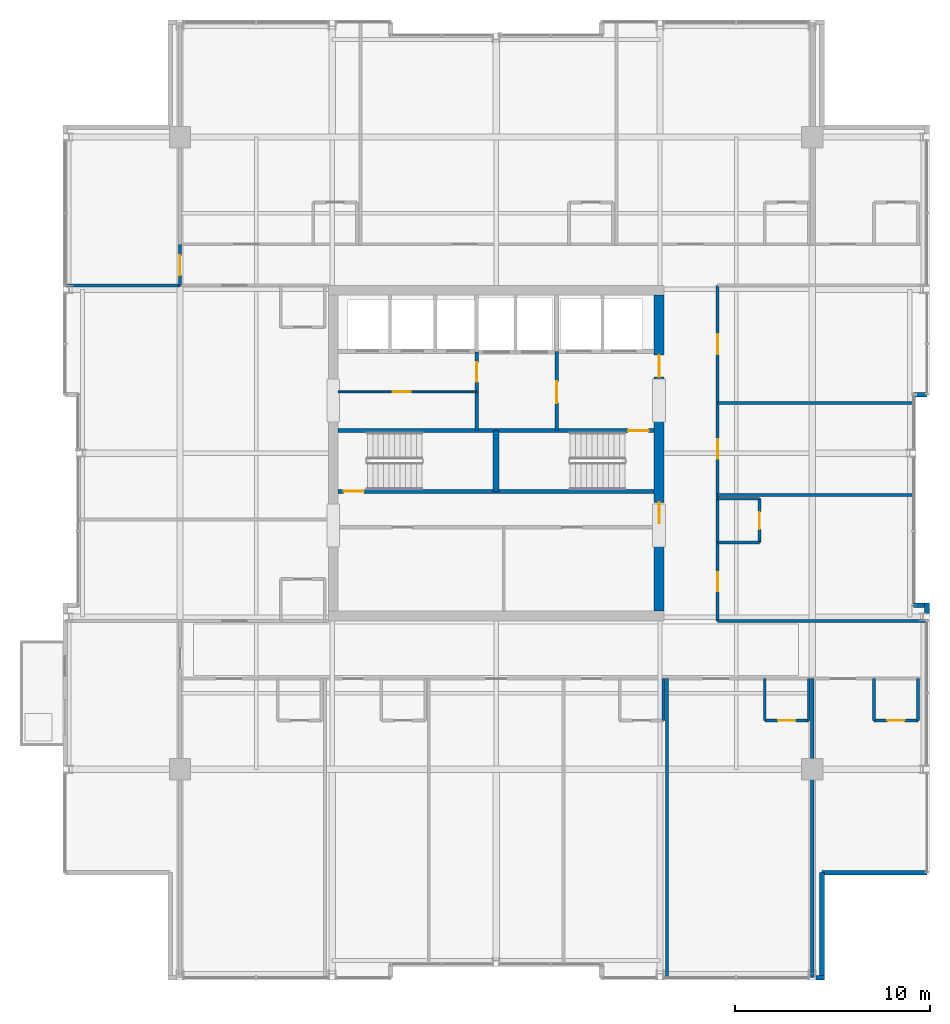
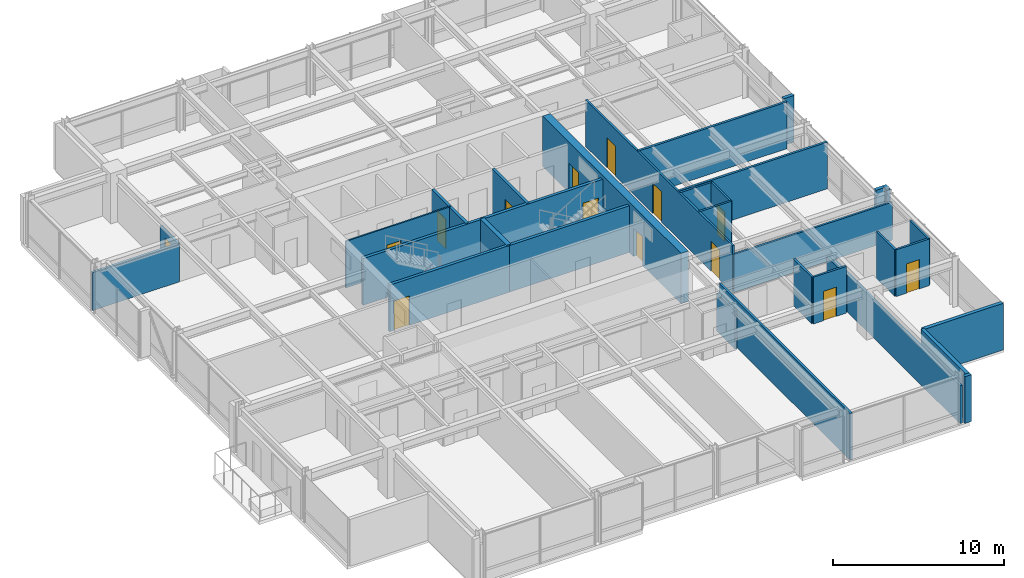
# One storey, part 27 of 32: 33 walls, 14 doors, 14 openings.
"""IFC4 building model written with IfcOpenShell, lengths in metres."""

from ifc_helpers import new_model, si_unit, direction, frame, frame_2d, origin, place, context, subcontext, project, spatial, rectangle, extrude, material, layer, layer_set, type_object, element, fill, save


model = new_model("IFC4")

# Units and contexts
model_context = context("Model", 3, precision=1e-05, world=origin(), true_north=direction((0.0, 1.0)))
body_context = subcontext(model_context, "Body", "Model", "MODEL_VIEW")
ifc_project = project(units=[si_unit("LENGTHUNIT", "METRE"), si_unit("AREAUNIT", "SQUARE_METRE"), si_unit("VOLUMEUNIT", "CUBIC_METRE"), si_unit("PLANEANGLEUNIT", "RADIAN"), si_unit("MASSUNIT", "GRAM", prefix="KILO")], contexts=[model_context])

# Site, building, storey
site_placement = place(None, origin())
site = spatial("IfcSite", under=ifc_project, at=site_placement, CompositionType="ELEMENT")
building_placement = place(site_placement, origin())
building = spatial("IfcBuilding", under=site, at=building_placement, Name="Drelvath Grand Hotel", CompositionType="ELEMENT")
storey_placement = place(building_placement, frame((0.0, 0.0, 233.89990234375)))
storey = spatial("IfcBuildingStorey", under=building, at=storey_placement, Name="L61", CompositionType="ELEMENT", Elevation=233.89990234375)

# Wall, opening, door
ifc_material_1 = material(Name="Gypsum Partition Board")
ifc_layer_1 = layer(ifc_material_1, 0.10009765625)
ifc_layer_set_1 = layer_set([ifc_layer_1], Name="Gypsum Partition Board")
wall_type_1 = type_object("IfcWallType", Name="Core Closet Partition 100", PredefinedType="PARTITIONING", material=ifc_layer_set_1)
wall_1_placement = place(storey_placement, frame((-8.10009765625, 30.139892578125, 0.0), z_axis=(0.0, 0.0, 1.0), x_axis=(1.0, 0.0, 0.0)))
wall_1 = element("IfcWall", 1, at=wall_1_placement, inside=storey, type_object=wall_type_1, Name="L61 High-Rise Lobby Closet Wall", PredefinedType="PARTITIONING", context=body_context, shape_type="SweptSolid", body=[
    extrude(rectangle(XDim=7.10009765625, YDim=0.10009765625, at=frame_2d((3.550048828125, 0.0))), origin(), (0.0, 0.0, 1.0), 3.340087890625),
])
opening_1_placement = place(wall_1_placement, frame((2.800048828125, 0.0, 0.0)))
opening_1 = element("IfcOpeningElement", 2, at=opening_1_placement, cuts=wall_1, Name="Opening D-T4G3-013", PredefinedType="OPENING", context=body_context, shape_type="SweptSolid", body=[
    extrude(rectangle(XDim=0.919921875, YDim=2.10009765625, at=frame_2d((0.4599609375, 1.050048828125))), frame((0.0, 0.06005859375, 0.0), z_axis=(0.0, -1.0, 0.0), x_axis=(1.0, 0.0, 0.0)), (0.0, 0.0, 1.0), 0.1201171875),
])
ifc_material_2 = material(Name="Painted Steel S275", Category="steel")
door_type_1 = type_object("IfcDoorType", Name="Staff Utility Door 920x2100", OperationType="NOTDEFINED", PredefinedType="DOOR", material=ifc_material_2)
door_1_placement = place(opening_1_placement, origin())
door_1 = element("IfcDoor", 3, at=door_1_placement, inside=storey, type_object=door_type_1, Name="L61 Core Telecom Door", OperationType="SINGLE_SWING_RIGHT", OverallHeight=2.10009765625, OverallWidth=0.919921875, PredefinedType="DOOR", context=body_context, shape_type="SweptSolid", body=[
    extrude(rectangle(XDim=0.919921875, YDim=2.10009765625, at=frame_2d((0.4599609375, 1.050048828125))), frame((0.0, 0.02490234375, 0.0), z_axis=(0.0, -1.0, 0.0), x_axis=(1.0, 0.0, 0.0)), (0.0, 0.0, 1.0), 0.050048828125),
])
fill(opening_1, door_1)

ifc_material_3 = material(Name="Concrete C40/50", Category="concrete")
ifc_layer_2 = layer(ifc_material_3, 0.199951171875)
ifc_layer_set_2 = layer_set([ifc_layer_2], Name="Concrete C40/50")
wall_type_2 = type_object("IfcWallType", Name="Core Shaft Fire Wall 200", PredefinedType="SOLIDWALL", material=ifc_layer_set_2)
wall_2_placement = place(storey_placement, frame((-8.10009765625, 25.0400390625, 0.0), z_axis=(0.0, 0.0, 1.0), x_axis=(1.0, 0.0, 0.0)))
wall_2 = element("IfcWall", 4, at=wall_2_placement, inside=storey, type_object=wall_type_2, Name="L61 Stair ST-1 South Wall", PredefinedType="SOLIDWALL", context=body_context, shape_type="SweptSolid", body=[
    extrude(rectangle(XDim=8.10009765625, YDim=0.199951171875, at=frame_2d((4.050048828125, 0.0))), origin(), (0.0, 0.0, 1.0), 3.340087890625),
])
opening_2_placement = place(wall_2_placement, frame((0.280029296875, 0.0, 0.0)))
opening_2 = element("IfcOpeningElement", 5, at=opening_2_placement, cuts=wall_2, Name="Opening D-T4G3-001", PredefinedType="OPENING", context=body_context, shape_type="SweptSolid", body=[
    extrude(rectangle(XDim=1.050048828125, YDim=2.10009765625, at=frame_2d((0.52490234375, 1.050048828125))), frame((0.0, 0.10986328125, 0.0), z_axis=(0.0, -1.0, 0.0), x_axis=(1.0, 0.0, 0.0)), (0.0, 0.0, 1.0), 0.219970703125),
])
door_type_2 = type_object("IfcDoorType", Name="Tower Stairwell Fire Door 1050x2100", OperationType="NOTDEFINED", PredefinedType="DOOR", material=ifc_material_2)
door_2_placement = place(opening_2_placement, origin())
door_2 = element("IfcDoor", 6, at=door_2_placement, inside=storey, type_object=door_type_2, Name="L61 Exit Stair ST-1 Door", OperationType="SINGLE_SWING_LEFT", OverallHeight=2.10009765625, OverallWidth=1.050048828125, PredefinedType="DOOR", context=body_context, shape_type="SweptSolid", body=[
    extrude(rectangle(XDim=1.050048828125, YDim=2.10009765625, at=frame_2d((0.52490234375, 1.050048828125))), frame((0.0, 0.02490234375, 0.0), z_axis=(0.0, -1.0, 0.0), x_axis=(1.0, 0.0, 0.0)), (0.0, 0.0, 1.0), 0.050048828125),
])
fill(opening_2, door_2)

# Walls
for number, where, z_axis, x_axis, name in (
    (7, (-8.10009765625, 28.159912109375, 0.0), (0.0, 0.0, 1.0), (1.0, 0.0, 0.0), "L61 Stair ST-1 North Wall"),
    (8, (0.0, 25.0400390625, 0.0), (0.0, 0.0, 1.0), (1.0, 0.0, 0.0), "L61 Stair ST-2 South Wall"),
):
    element("IfcWall", number, at=place(storey_placement, frame(where, z_axis=z_axis, x_axis=x_axis)), inside=storey, type_object=wall_type_2, Name=name, PredefinedType="SOLIDWALL", context=body_context, shape_type="SweptSolid", body=[
        extrude(rectangle(XDim=8.10009765625, YDim=0.199951171875, at=frame_2d((4.050048828125, 0.0))), origin(), (0.0, 0.0, 1.0), 3.340087890625),
    ])

# Wall, opening, door
wall_3_placement = place(storey_placement, frame((8.10009765625, 28.159912109375, 0.0), z_axis=(0.0, 0.0, 1.0), x_axis=(-1.0, 0.0, 0.0)))
wall_3 = element("IfcWall", 9, at=wall_3_placement, inside=storey, type_object=wall_type_2, Name="L61 Stair ST-2 North Wall", PredefinedType="SOLIDWALL", context=body_context, shape_type="SweptSolid", body=[
    extrude(rectangle(XDim=8.10009765625, YDim=0.199951171875, at=frame_2d((4.050048828125, 0.0))), origin(), (0.0, 0.0, 1.0), 3.340087890625),
])
opening_3_placement = place(wall_3_placement, frame((0.280029296875, 0.0, 0.0)))
opening_3 = element("IfcOpeningElement", 10, at=opening_3_placement, cuts=wall_3, Name="Opening D-T4G3-002", PredefinedType="OPENING", context=body_context, shape_type="SweptSolid", body=[
    extrude(rectangle(XDim=1.050048828125, YDim=2.10009765625, at=frame_2d((0.52490234375, 1.050048828125))), frame((0.0, 0.10986328125, 0.0), z_axis=(0.0, -1.0, 0.0), x_axis=(1.0, 0.0, 0.0)), (0.0, 0.0, 1.0), 0.219970703125),
])
door_3_placement = place(opening_3_placement, origin())
door_3 = element("IfcDoor", 11, at=door_3_placement, inside=storey, type_object=door_type_2, Name="L61 Exit Stair ST-2 Door", OperationType="SINGLE_SWING_LEFT", OverallHeight=2.10009765625, OverallWidth=1.050048828125, PredefinedType="DOOR", context=body_context, shape_type="SweptSolid", body=[
    extrude(rectangle(XDim=1.050048828125, YDim=2.10009765625, at=frame_2d((0.52490234375, 1.050048828125))), frame((0.0, 0.02490234375, 0.0), z_axis=(0.0, -1.0, 0.0), x_axis=(1.0, 0.0, 0.0)), (0.0, 0.0, 1.0), 0.050048828125),
])
fill(opening_3, door_3)

# Walls
ifc_layer_3 = layer(ifc_material_3, 0.300048828125)
ifc_layer_set_3 = layer_set([ifc_layer_3], Name="Concrete C40/50")
wall_type_3 = type_object("IfcWallType", Name="Core Shaft Fire Wall 300", PredefinedType="SOLIDWALL", material=ifc_layer_set_3)
wall_4_placement = place(storey_placement, frame((0.0, 25.0400390625, 0.0), z_axis=(0.0, 0.0, 1.0), x_axis=(0.0, 1.0, 0.0)))
element("IfcWall", 12, at=wall_4_placement, inside=storey, type_object=wall_type_3, Name="L61 Core Stair Divider Wall", PredefinedType="SOLIDWALL", context=body_context, shape_type="SweptSolid", body=[
    extrude(rectangle(XDim=3.119873046875, YDim=0.300048828125, at=frame_2d((1.56005859375, 0.0))), origin(), (0.0, 0.0, 1.0), 3.340087890625),
])
ifc_material_4 = material(Name="Gypsum Fireboard Partition")
ifc_layer_4 = layer(ifc_material_4, 0.135009765625)
ifc_layer_set_4 = layer_set([ifc_layer_4], Name="Gypsum Fireboard Partition")
wall_type_4 = type_object("IfcWallType", Name="Corridor Fire Barrier Wall 135", PredefinedType="PARTITIONING", material=ifc_layer_set_4)
wall_5_placement = place(storey_placement, frame((11.35009765625, 18.39990234375, 0.0), z_axis=(0.0, 0.0, 1.0), x_axis=(1.0, 0.0, 0.0)))
element("IfcWall", 13, at=wall_5_placement, inside=storey, type_object=wall_type_4, Name="L61 South Gallery Inner East Wall", PredefinedType="PARTITIONING", context=body_context, shape_type="SweptSolid", body=[
    extrude(rectangle(XDim=10.72998046875, YDim=0.135009765625, at=frame_2d((5.364990234375, 0.0))), origin(), (0.0, 0.0, 1.0), 2.717529296875),
])

# Wall, openings, doors
wall_6_placement = place(storey_placement, frame((11.35009765625, 18.39990234375, 0.0), z_axis=(0.0, 0.0, 1.0), x_axis=(0.0, 1.0, 0.0)))
wall_6 = element("IfcWall", 14, at=wall_6_placement, inside=storey, type_object=wall_type_4, Name="L61 East Gallery Link Wall", PredefinedType="PARTITIONING", context=body_context, shape_type="SweptSolid", body=[
    extrude(rectangle(XDim=17.2001953125, YDim=0.135009765625, at=frame_2d((8.60009765625, 0.0))), origin(), (0.0, 0.0, 1.0), 3.340087890625),
])
opening_4_placement = place(wall_6_placement, frame((1.530029296875, 0.0, 0.0)))
opening_4 = element("IfcOpeningElement", 15, at=opening_4_placement, cuts=wall_6, Name="Opening D-T4G3-039", PredefinedType="OPENING", context=body_context, shape_type="SweptSolid", body=[
    extrude(rectangle(XDim=0.9599609375, YDim=2.14990234375, at=frame_2d((0.47998046875, 1.074951171875))), frame((0.0, 0.077392578125, 0.0), z_axis=(0.0, -1.0, 0.0), x_axis=(1.0, 0.0, 0.0)), (0.0, 0.0, 1.0), 0.155029296875),
])
opening_5_placement = place(wall_6_placement, frame((8.304931640625, 0.0, 0.0)))
opening_5 = element("IfcOpeningElement", 16, at=opening_5_placement, cuts=wall_6, Name="Opening D-T4G3-040", PredefinedType="OPENING", context=body_context, shape_type="SweptSolid", body=[
    extrude(rectangle(XDim=1.02001953125, YDim=2.14990234375, at=frame_2d((0.510009765625, 1.074951171875))), frame((0.0, 0.077392578125, 0.0), z_axis=(0.0, -1.0, 0.0), x_axis=(1.0, 0.0, 0.0)), (0.0, 0.0, 1.0), 0.155029296875),
])
opening_6_placement = place(wall_6_placement, frame((13.679931640625, 0.0, 0.0)))
opening_6 = element("IfcOpeningElement", 17, at=opening_6_placement, cuts=wall_6, Name="Opening D-T4G3-041", PredefinedType="OPENING", context=body_context, shape_type="SweptSolid", body=[
    extrude(rectangle(XDim=1.02001953125, YDim=2.14990234375, at=frame_2d((0.510009765625, 1.074951171875))), frame((0.0, 0.077392578125, 0.0), z_axis=(0.0, -1.0, 0.0), x_axis=(1.0, 0.0, 0.0)), (0.0, 0.0, 1.0), 0.155029296875),
])
ifc_material_5 = material(Name="Hardwood Walnut Timber", Category="wood")
door_type_3 = type_object("IfcDoorType", Name="Amenity Meeting Fire Door 1020x2150", OperationType="NOTDEFINED", PredefinedType="DOOR", material=ifc_material_5)
door_4_placement = place(opening_5_placement, origin())
door_4 = element("IfcDoor", 18, at=door_4_placement, inside=storey, type_object=door_type_3, Name="L61 Quiet Study Library Entry Door", OperationType="SINGLE_SWING_LEFT", OverallHeight=2.14990234375, OverallWidth=1.02001953125, PredefinedType="DOOR", context=body_context, shape_type="SweptSolid", body=[
    extrude(rectangle(XDim=1.02001953125, YDim=2.14990234375, at=frame_2d((0.510009765625, 1.074951171875))), frame((0.0, 0.02490234375, 0.0), z_axis=(0.0, -1.0, 0.0), x_axis=(1.0, 0.0, 0.0)), (0.0, 0.0, 1.0), 0.050048828125),
])
fill(opening_5, door_4)
door_5_placement = place(opening_6_placement, origin())
door_5 = element("IfcDoor", 19, at=door_5_placement, inside=storey, type_object=door_type_3, Name="L61 Press Briefing Room Entry Door", OperationType="SINGLE_SWING_RIGHT", OverallHeight=2.14990234375, OverallWidth=1.02001953125, PredefinedType="DOOR", context=body_context, shape_type="SweptSolid", body=[
    extrude(rectangle(XDim=1.02001953125, YDim=2.14990234375, at=frame_2d((0.510009765625, 1.074951171875))), frame((0.0, 0.02490234375, 0.0), z_axis=(0.0, -1.0, 0.0), x_axis=(1.0, 0.0, 0.0)), (0.0, 0.0, 1.0), 0.050048828125),
])
fill(opening_6, door_5)
door_type_4 = type_object("IfcDoorType", Name="Guestroom Entrance Fire Door 960x2150", OperationType="NOTDEFINED", PredefinedType="DOOR", material=ifc_material_5)
door_6_placement = place(opening_4_placement, origin())
door_6 = element("IfcDoor", 20, at=door_6_placement, inside=storey, type_object=door_type_4, Name="L61 Deluxe Guest Room Entry Door", OperationType="SINGLE_SWING_RIGHT", OverallHeight=2.14990234375, OverallWidth=0.9599609375, PredefinedType="DOOR", context=body_context, shape_type="SweptSolid", body=[
    extrude(rectangle(XDim=0.9599609375, YDim=2.14990234375, at=frame_2d((0.47998046875, 1.074951171875))), frame((0.0, 0.02490234375, 0.0), z_axis=(0.0, -1.0, 0.0), x_axis=(1.0, 0.0, 0.0)), (0.0, 0.0, 1.0), 0.050048828125),
])
fill(opening_4, door_6)

# Wall, opening, door
wall_7_placement = place(storey_placement, frame((-16.199951171875, 35.60009765625, 0.0), z_axis=(0.0, 0.0, 1.0), x_axis=(0.0, 1.0, 0.0)))
wall_7 = element("IfcWall", 21, at=wall_7_placement, inside=storey, type_object=wall_type_4, Name="L61 North Gallery West End", PredefinedType="PARTITIONING", context=body_context, shape_type="SweptSolid", body=[
    extrude(rectangle(XDim=2.099853515625, YDim=0.135009765625, at=frame_2d((1.0498046875, 0.0))), origin(), (0.0, 0.0, 1.0), 2.7138671875),
])
opening_7_placement = place(wall_7_placement, frame((0.52001953125, 0.0, 0.0)))
opening_7 = element("IfcOpeningElement", 22, at=opening_7_placement, cuts=wall_7, Name="Opening D-T4G3-018", PredefinedType="OPENING", context=body_context, shape_type="SweptSolid", body=[
    extrude(rectangle(XDim=1.02001953125, YDim=2.14990234375, at=frame_2d((0.510009765625, 1.074951171875))), frame((0.0, 0.077392578125, 0.0), z_axis=(0.0, -1.0, 0.0), x_axis=(1.0, 0.0, 0.0)), (0.0, 0.0, 1.0), 0.155029296875),
])
door_7_placement = place(opening_7_placement, origin())
door_7 = element("IfcDoor", 23, at=door_7_placement, inside=storey, type_object=door_type_3, Name="L61 Corner Panorama Lounge Door", OperationType="SINGLE_SWING_LEFT", OverallHeight=2.14990234375, OverallWidth=1.02001953125, PredefinedType="DOOR", context=body_context, shape_type="SweptSolid", body=[
    extrude(rectangle(XDim=1.02001953125, YDim=2.14990234375, at=frame_2d((0.510009765625, 1.074951171875))), frame((0.0, 0.02490234375, 0.0), z_axis=(0.0, -1.0, 0.0), x_axis=(1.0, 0.0, 0.0)), (0.0, 0.0, 1.0), 0.050048828125),
])
fill(opening_7, door_7)

# Walls
ifc_material_6 = material(Name="Moisture-Resistant Gypsum Board")
ifc_layer_5 = layer(ifc_material_6, 0.139892578125)
ifc_layer_set_5 = layer_set([ifc_layer_5], Name="Moisture-Resistant Gypsum Board")
wall_type_5 = type_object("IfcWallType", Name="En-Suite Plumbing Wall 140", PredefinedType="PLUMBINGWALL", material=ifc_layer_set_5)
for number, where, z_axis, x_axis, name in (
    (24, (19.3701171875, 15.449951171875, 0.0), (0.0, 0.0, 1.0), (0.0, -1.0, 0.0), "L61 En-Suite Left Wall"),
    (25, (21.6201171875, 15.449951171875, 0.0), (0.0, 0.0, 1.0), (0.0, -1.0, 0.0), "L61 En-Suite Right Wall"),
):
    element("IfcWall", number, at=place(storey_placement, frame(where, z_axis=z_axis, x_axis=x_axis)), inside=storey, type_object=wall_type_5, Name=name, PredefinedType="PLUMBINGWALL", context=body_context, shape_type="SweptSolid", body=[
        extrude(rectangle(XDim=2.14990234375, YDim=0.139892578125, at=frame_2d((1.074951171875, 0.0))), origin(), (0.0, 0.0, 1.0), 3.340087890625),
    ])

# Wall, opening, door
wall_8_placement = place(storey_placement, frame((19.3701171875, 13.300048828125, 0.0), z_axis=(0.0, 0.0, 1.0), x_axis=(1.0, 0.0, 0.0)))
wall_8 = element("IfcWall", 26, at=wall_8_placement, inside=storey, type_object=wall_type_5, Name="L61 En-Suite Front Wall", PredefinedType="PLUMBINGWALL", context=body_context, shape_type="SweptSolid", body=[
    extrude(rectangle(XDim=2.25, YDim=0.139892578125, at=frame_2d((1.125, 0.0))), origin(), (0.0, 0.0, 1.0), 3.340087890625),
])
opening_8_placement = place(wall_8_placement, frame((0.68505859375, 0.0, 0.0)))
opening_8 = element("IfcOpeningElement", 27, at=opening_8_placement, cuts=wall_8, Name="Opening D-T4G3-019", PredefinedType="OPENING", context=body_context, shape_type="SweptSolid", body=[
    extrude(rectangle(XDim=0.8798828125, YDim=2.10009765625, at=frame_2d((0.43994140625, 1.050048828125))), frame((0.0, 0.079833984375, 0.0), z_axis=(0.0, -1.0, 0.0), x_axis=(1.0, 0.0, 0.0)), (0.0, 0.0, 1.0), 0.159912109375),
])
door_type_5 = type_object("IfcDoorType", Name="En-Suite Bathroom Door 880x2100", OperationType="NOTDEFINED", PredefinedType="DOOR", material=ifc_material_5)
door_8_placement = place(opening_8_placement, origin())
door_8 = element("IfcDoor", 28, at=door_8_placement, inside=storey, type_object=door_type_5, Name="L61 En-Suite Bathroom Door", OperationType="SINGLE_SWING_RIGHT", OverallHeight=2.10009765625, OverallWidth=0.8798828125, PredefinedType="DOOR", context=body_context, shape_type="SweptSolid", body=[
    extrude(rectangle(XDim=0.8798828125, YDim=2.10009765625, at=frame_2d((0.43994140625, 1.050048828125))), frame((0.0, 0.02490234375, 0.0), z_axis=(0.0, -1.0, 0.0), x_axis=(1.0, 0.0, 0.0)), (0.0, 0.0, 1.0), 0.050048828125),
])
fill(opening_8, door_8)

# Walls
wall_9_placement = place(storey_placement, frame((8.583984375, 15.449951171875, 0.0), z_axis=(0.0, 0.0, 1.0), x_axis=(0.0, -1.0, 0.0)))
element("IfcWall", 29, at=wall_9_placement, inside=storey, type_object=wall_type_5, Name="L61 En-Suite Right Wall", PredefinedType="PLUMBINGWALL", context=body_context, shape_type="SweptSolid", body=[
    extrude(rectangle(XDim=2.14990234375, YDim=0.139892578125, at=frame_2d((1.074951171875, 0.0))), origin(), (0.0, 0.0, 1.0), 2.717529296875),
])
wall_10_placement = place(storey_placement, frame((13.77001953125, 15.449951171875, 0.0), z_axis=(0.0, 0.0, 1.0), x_axis=(0.0, -1.0, 0.0)))
element("IfcWall", 30, at=wall_10_placement, inside=storey, type_object=wall_type_5, Name="L61 En-Suite Left Wall", PredefinedType="PLUMBINGWALL", context=body_context, shape_type="SweptSolid", body=[
    extrude(rectangle(XDim=2.14990234375, YDim=0.139892578125, at=frame_2d((1.074951171875, 0.0))), origin(), (0.0, 0.0, 1.0), 3.340087890625),
])
wall_11_placement = place(storey_placement, frame((16.02001953125, 15.449951171875, 0.0), z_axis=(0.0, 0.0, 1.0), x_axis=(0.0, -1.0, 0.0)))
element("IfcWall", 31, at=wall_11_placement, inside=storey, type_object=wall_type_5, Name="L61 En-Suite Right Wall", PredefinedType="PLUMBINGWALL", context=body_context, shape_type="SweptSolid", body=[
    extrude(rectangle(XDim=2.14990234375, YDim=0.139892578125, at=frame_2d((1.074951171875, 0.0))), origin(), (0.0, 0.0, 1.0), 2.7138671875),
])

# Wall, opening, door
wall_12_placement = place(storey_placement, frame((13.77001953125, 13.300048828125, 0.0), z_axis=(0.0, 0.0, 1.0), x_axis=(1.0, 0.0, 0.0)))
wall_12 = element("IfcWall", 32, at=wall_12_placement, inside=storey, type_object=wall_type_5, Name="L61 En-Suite Front Wall", PredefinedType="PLUMBINGWALL", context=body_context, shape_type="SweptSolid", body=[
    extrude(rectangle(XDim=2.25, YDim=0.139892578125, at=frame_2d((1.125, 0.0))), origin(), (0.0, 0.0, 1.0), 3.340087890625),
])
opening_9_placement = place(wall_12_placement, frame((0.68505859375, 0.0, 0.0)))
opening_9 = element("IfcOpeningElement", 33, at=opening_9_placement, cuts=wall_12, Name="Opening D-T4G3-030", PredefinedType="OPENING", context=body_context, shape_type="SweptSolid", body=[
    extrude(rectangle(XDim=0.8798828125, YDim=2.10009765625, at=frame_2d((0.43994140625, 1.050048828125))), frame((0.0, 0.079833984375, 0.0), z_axis=(0.0, -1.0, 0.0), x_axis=(1.0, 0.0, 0.0)), (0.0, 0.0, 1.0), 0.159912109375),
])
door_9_placement = place(opening_9_placement, origin())
door_9 = element("IfcDoor", 34, at=door_9_placement, inside=storey, type_object=door_type_5, Name="L61 En-Suite Bathroom Door", OperationType="SINGLE_SWING_LEFT", OverallHeight=2.10009765625, OverallWidth=0.8798828125, PredefinedType="DOOR", context=body_context, shape_type="SweptSolid", body=[
    extrude(rectangle(XDim=0.8798828125, YDim=2.10009765625, at=frame_2d((0.43994140625, 1.050048828125))), frame((0.0, 0.02490234375, 0.0), z_axis=(0.0, -1.0, 0.0), x_axis=(1.0, 0.0, 0.0)), (0.0, 0.0, 1.0), 0.050048828125),
])
fill(opening_9, door_9)

# Walls
for number, where, z_axis, x_axis, name in (
    (35, (11.35009765625, 22.419921875, 0.0), (0.0, 0.0, 1.0), (1.0, 0.0, 0.0), "L61 En-Suite Left Wall"),
    (36, (11.35009765625, 24.669921875, 0.0), (0.0, 0.0, 1.0), (1.0, 0.0, 0.0), "L61 En-Suite Right Wall"),
):
    element("IfcWall", number, at=place(storey_placement, frame(where, z_axis=z_axis, x_axis=x_axis)), inside=storey, type_object=wall_type_5, Name=name, PredefinedType="PLUMBINGWALL", context=body_context, shape_type="SweptSolid", body=[
        extrude(rectangle(XDim=2.14990234375, YDim=0.139892578125, at=frame_2d((1.074951171875, 0.0))), origin(), (0.0, 0.0, 1.0), 3.340087890625),
    ])

# Wall, opening, door
wall_13_placement = place(storey_placement, frame((13.5, 22.419921875, 0.0), z_axis=(0.0, 0.0, 1.0), x_axis=(0.0, 1.0, 0.0)))
wall_13 = element("IfcWall", 37, at=wall_13_placement, inside=storey, type_object=wall_type_5, Name="L61 En-Suite Front Wall", PredefinedType="PLUMBINGWALL", context=body_context, shape_type="SweptSolid", body=[
    extrude(rectangle(XDim=2.25, YDim=0.139892578125, at=frame_2d((1.125, 0.0))), origin(), (0.0, 0.0, 1.0), 3.340087890625),
])
opening_10_placement = place(wall_13_placement, frame((0.68505859375, 0.0, 0.0)))
opening_10 = element("IfcOpeningElement", 38, at=opening_10_placement, cuts=wall_13, Name="Opening D-T4G3-038", PredefinedType="OPENING", context=body_context, shape_type="SweptSolid", body=[
    extrude(rectangle(XDim=0.8798828125, YDim=2.10009765625, at=frame_2d((0.43994140625, 1.050048828125))), frame((0.0, 0.079833984375, 0.0), z_axis=(0.0, -1.0, 0.0), x_axis=(1.0, 0.0, 0.0)), (0.0, 0.0, 1.0), 0.159912109375),
])
door_10_placement = place(opening_10_placement, origin())
door_10 = element("IfcDoor", 39, at=door_10_placement, inside=storey, type_object=door_type_5, Name="L61 En-Suite Bathroom Door", OperationType="SINGLE_SWING_LEFT", OverallHeight=2.10009765625, OverallWidth=0.8798828125, PredefinedType="DOOR", context=body_context, shape_type="SweptSolid", body=[
    extrude(rectangle(XDim=0.8798828125, YDim=2.10009765625, at=frame_2d((0.43994140625, 1.050048828125))), frame((0.0, 0.02490234375, 0.0), z_axis=(0.0, -1.0, 0.0), x_axis=(1.0, 0.0, 0.0)), (0.0, 0.0, 1.0), 0.050048828125),
])
fill(opening_10, door_10)

ifc_layer_6 = layer(ifc_material_4, 0.179931640625)
ifc_layer_set_6 = layer_set([ifc_layer_6], Name="Gypsum Fireboard Partition")
wall_type_6 = type_object("IfcWallType", Name="FSAE Smoke Lobby Fire Wall 180", PredefinedType="SOLIDWALL", material=ifc_layer_set_6)
wall_14_placement = place(storey_placement, frame((3.10009765625, 28.159912109375, 0.0), z_axis=(0.0, 0.0, 1.0), x_axis=(0.0, 1.0, 0.0)))
wall_14 = element("IfcWall", 40, at=wall_14_placement, inside=storey, type_object=wall_type_6, Name="L61 FSAE Smoke Lobby West Wall", PredefinedType="SOLIDWALL", context=body_context, shape_type="SweptSolid", body=[
    extrude(rectangle(XDim=4.06005859375, YDim=0.179931640625, at=frame_2d((2.030029296875, 0.0))), origin(), (0.0, 0.0, 1.0), 3.340087890625),
])
opening_11_placement = place(wall_14_placement, frame((1.39990234375, 0.0, 0.0)))
opening_11 = element("IfcOpeningElement", 41, at=opening_11_placement, cuts=wall_14, Name="Opening D-T4G3-005", PredefinedType="OPENING", context=body_context, shape_type="SweptSolid", body=[
    extrude(rectangle(XDim=1.1201171875, YDim=2.10009765625, at=frame_2d((0.56005859375, 1.050048828125))), frame((0.0, 0.099853515625, 0.0), z_axis=(0.0, -1.0, 0.0), x_axis=(1.0, 0.0, 0.0)), (0.0, 0.0, 1.0), 0.199951171875),
])
door_type_6 = type_object("IfcDoorType", Name="FSAE Smoke Lobby Fire Door 1120x2100", OperationType="NOTDEFINED", PredefinedType="DOOR", material=ifc_material_2)
door_11_placement = place(opening_11_placement, origin())
door_11 = element("IfcDoor", 42, at=door_11_placement, inside=storey, type_object=door_type_6, Name="L61 FSAE Lobby Service Vestibule Door", OperationType="SINGLE_SWING_RIGHT", OverallHeight=2.10009765625, OverallWidth=1.1201171875, PredefinedType="DOOR", context=body_context, shape_type="SweptSolid", body=[
    extrude(rectangle(XDim=1.1201171875, YDim=2.10009765625, at=frame_2d((0.56005859375, 1.050048828125))), frame((0.0, 0.02490234375, 0.0), z_axis=(0.0, -1.0, 0.0), x_axis=(1.0, 0.0, 0.0)), (0.0, 0.0, 1.0), 0.050048828125),
])
fill(opening_11, door_11)

wall_15_placement = place(storey_placement, frame((-1.0, 28.159912109375, 0.0), z_axis=(0.0, 0.0, 1.0), x_axis=(0.0, 1.0, 0.0)))
wall_15 = element("IfcWall", 43, at=wall_15_placement, inside=storey, type_object=wall_type_6, Name="L61 Service Vestibule West Wall", PredefinedType="SOLIDWALL", context=body_context, shape_type="SweptSolid", body=[
    extrude(rectangle(XDim=4.02001953125, YDim=0.179931640625, at=frame_2d((2.010009765625, 0.0))), origin(), (0.0, 0.0, 1.0), 3.340087890625),
])
opening_12_placement = place(wall_15_placement, frame((2.489990234375, 0.0, 0.0)))
opening_12 = element("IfcOpeningElement", 44, at=opening_12_placement, cuts=wall_15, Name="Opening D-T4G3-009", PredefinedType="OPENING", context=body_context, shape_type="SweptSolid", body=[
    extrude(rectangle(XDim=1.0, YDim=2.10009765625, at=frame_2d((0.5, 1.050048828125))), frame((0.0, 0.099853515625, 0.0), z_axis=(0.0, -1.0, 0.0), x_axis=(1.0, 0.0, 0.0)), (0.0, 0.0, 1.0), 0.199951171875),
])
door_type_7 = type_object("IfcDoorType", Name="Core Service Fire Door 1000x2100", OperationType="NOTDEFINED", PredefinedType="DOOR", material=ifc_material_2)
door_12_placement = place(opening_12_placement, origin())
door_12 = element("IfcDoor", 45, at=door_12_placement, inside=storey, type_object=door_type_7, Name="L61 Service Vestibule West Door", OperationType="SINGLE_SWING_LEFT", OverallHeight=2.10009765625, OverallWidth=1.0, PredefinedType="DOOR", context=body_context, shape_type="SweptSolid", body=[
    extrude(rectangle(XDim=1.0, YDim=2.10009765625, at=frame_2d((0.5, 1.050048828125))), frame((0.0, 0.02490234375, 0.0), z_axis=(0.0, -1.0, 0.0), x_axis=(1.0, 0.0, 0.0)), (0.0, 0.0, 1.0), 0.050048828125),
])
fill(opening_12, door_12)

# Walls
ifc_material_7 = material(Name="Gypsum Acoustic Partition")
ifc_layer_7 = layer(ifc_material_7, 0.14990234375)
ifc_layer_set_7 = layer_set([ifc_layer_7], Name="Gypsum Acoustic Partition")
wall_type_7 = type_object("IfcWallType", Name="Guestroom Demising Wall 150", PredefinedType="PARTITIONING", material=ifc_layer_set_7)
wall_16_placement = place(storey_placement, frame((8.763916015625, 0.1201171875, 0.0), z_axis=(0.0, 0.0, 1.0), x_axis=(0.0, 1.0, 0.0)))
element("IfcWall", 46, at=wall_16_placement, inside=storey, type_object=wall_type_7, Name="L61 South Demising 4", PredefinedType="PARTITIONING", context=body_context, shape_type="SweptSolid", body=[
    extrude(rectangle(XDim=15.329833984375, YDim=0.14990234375, at=frame_2d((7.6650390625, 0.0))), origin(), (0.0, 0.0, 1.0), 3.340087890625),
])
for number, where, z_axis, x_axis, name in (
    (47, (11.35009765625, 24.85009765625, 0.0), (0.0, 0.0, 1.0), (1.0, 0.0, 0.0), "L61 East Demising 1"),
    (48, (11.35009765625, 29.580078125, 0.0), (0.0, 0.0, 1.0), (1.0, 0.0, 0.0), "L61 East Demising 2"),
):
    element("IfcWall", number, at=place(storey_placement, frame(where, z_axis=z_axis, x_axis=x_axis)), inside=storey, type_object=wall_type_7, Name=name, PredefinedType="PARTITIONING", context=body_context, shape_type="SweptSolid", body=[
        extrude(rectangle(XDim=10.0498046875, YDim=0.14990234375, at=frame_2d((5.02490234375, 0.0))), origin(), (0.0, 0.0, 1.0), 3.340087890625),
    ])
ifc_layer_8 = layer(ifc_material_7, 0.1650390625)
ifc_layer_set_8 = layer_set([ifc_layer_8], Name="Gypsum Acoustic Partition")
wall_type_8 = type_object("IfcWallType", Name="Suite Demising Wall 165", PredefinedType="PARTITIONING", material=ifc_layer_set_8)
wall_17_placement = place(storey_placement, frame((16.199951171875, 0.1201171875, 0.0), z_axis=(0.0, 0.0, 1.0), x_axis=(0.0, 1.0, 0.0)))
element("IfcWall", 49, at=wall_17_placement, inside=storey, type_object=wall_type_8, Name="L61 SE Suite Wall", PredefinedType="PARTITIONING", context=body_context, shape_type="SweptSolid", body=[
    extrude(rectangle(XDim=15.329833984375, YDim=0.1650390625, at=frame_2d((7.6650390625, 0.0))), origin(), (0.0, 0.0, 1.0), 2.7138671875),
])
wall_18_placement = place(storey_placement, frame((-22.080078125, 35.60009765625, 0.0), z_axis=(0.0, 0.0, 1.0), x_axis=(1.0, 0.0, 0.0)))
element("IfcWall", 50, at=wall_18_placement, inside=storey, type_object=wall_type_8, Name="L61 NW Corner South Wall", PredefinedType="PARTITIONING", context=body_context, shape_type="SweptSolid", body=[
    extrude(rectangle(XDim=5.880126953125, YDim=0.1650390625, at=frame_2d((2.93994140625, 0.0))), origin(), (0.0, 0.0, 1.0), 2.7138671875),
])
ifc_material_8 = material(Name="Pale-Metal Insulated Aluminium Spandrel Assembly", Category="aluminium")
ifc_layer_9 = layer(ifc_material_8, 0.239990234375)
ifc_layer_set_9 = layer_set([ifc_layer_9], Name="Pale-Metal Insulated Aluminium Spandrel Assembly")
wall_type_9 = type_object("IfcWallType", Name="Tower Insulated Metal Spandrel Closure Wall 240", PredefinedType="STANDARD", material=ifc_layer_set_9)
wall_19_placement = place(storey_placement, frame((22.080078125, 19.320068359375, 0.0), z_axis=(0.0, 0.0, 1.0), x_axis=(0.0, -1.0, 0.0)))
element("IfcWall", 51, at=wall_19_placement, inside=storey, type_object=wall_type_9, Name="L61 Corner Pier Spandrel Wall ES3", PredefinedType="STANDARD", context=body_context, shape_type="SweptSolid", body=[
    extrude(rectangle(XDim=0.53466796875, YDim=0.239990234375, at=frame_2d((0.267333984375, 0.0))), origin(), (0.0, 0.0, 1.0), 3.340087890625),
])
wall_20_placement = place(storey_placement, frame((16.820068359375, 0.1201171875, 0.0), z_axis=(0.0, 0.0, 1.0), x_axis=(-1.0, 0.0, 0.0)))
element("IfcWall", 52, at=wall_20_placement, inside=storey, type_object=wall_type_9, Name="L61 Corner Pier Spandrel Wall SE3", PredefinedType="STANDARD", context=body_context, shape_type="SweptSolid", body=[
    extrude(rectangle(XDim=0.434814453125, YDim=0.239990234375, at=frame_2d((0.21728515625, 0.0))), origin(), (0.0, 0.0, 1.0), 3.340087890625),
])
wall_21_placement = place(storey_placement, frame((22.080078125, 5.5, 0.0), z_axis=(0.0, 0.0, 1.0), x_axis=(-1.0, 0.0, 0.0)))
element("IfcWall", 53, at=wall_21_placement, inside=storey, type_object=wall_type_9, Name="L61 Notched Corner Return Spandrel Wall CSE1", PredefinedType="STANDARD", context=body_context, shape_type="SweptSolid", body=[
    extrude(rectangle(XDim=5.380126953125, YDim=0.239990234375, at=frame_2d((2.68994140625, 0.0))), origin(), (0.0, 0.0, 1.0), 3.340087890625),
])
wall_22_placement = place(storey_placement, frame((16.699951171875, 5.5, 0.0), z_axis=(0.0, 0.0, 1.0), x_axis=(0.0, -1.0, 0.0)))
element("IfcWall", 54, at=wall_22_placement, inside=storey, type_object=wall_type_9, Name="L61 Notched Corner Return Spandrel Wall CSE2", PredefinedType="STANDARD", context=body_context, shape_type="SweptSolid", body=[
    extrude(rectangle(XDim=5.260009765625, YDim=0.239990234375, at=frame_2d((2.6298828125, 0.0))), origin(), (0.0, 0.0, 1.0), 3.340087890625),
])
wall_23_placement = place(storey_placement, frame((22.080078125, 30.0, 0.0), z_axis=(0.0, 0.0, 1.0), x_axis=(-1.0, 0.0, 0.0)))
element("IfcWall", 55, at=wall_23_placement, inside=storey, type_object=wall_type_9, Name="L61 Notched Corner Return Spandrel Wall RE1", PredefinedType="STANDARD", context=body_context, shape_type="SweptSolid", body=[
    extrude(rectangle(XDim=0.68017578125, YDim=0.239990234375, at=frame_2d((0.340087890625, 0.0))), origin(), (0.0, 0.0, 1.0), 3.340087890625),
])
wall_24_placement = place(storey_placement, frame((21.39990234375, 19.199951171875, 0.0), z_axis=(0.0, 0.0, 1.0), x_axis=(1.0, 0.0, 0.0)))
element("IfcWall", 56, at=wall_24_placement, inside=storey, type_object=wall_type_9, Name="L61 Notched Corner Return Spandrel Wall RE2", PredefinedType="STANDARD", context=body_context, shape_type="SweptSolid", body=[
    extrude(rectangle(XDim=0.56005859375, YDim=0.239990234375, at=frame_2d((0.280029296875, 0.0))), origin(), (0.0, 0.0, 1.0), 3.340087890625),
])

# Wall, openings, doors
ifc_material_9 = material(Name="Concrete f'c 55 MPa", Category="concrete")
ifc_layer_10 = layer(ifc_material_9, 0.5)
ifc_layer_set_10 = layer_set([ifc_layer_10], Name="Concrete f'c 55 MPa")
wall_type_10 = type_object("IfcWallType", Name="Upper Core RC Shear Wall 500", PredefinedType="SHEAR", material=ifc_layer_set_10)
wall_25_placement = place(storey_placement, frame((8.35009765625, 35.10009765625, 0.0), z_axis=(0.0, 0.0, 1.0), x_axis=(0.0, -1.0, 0.0)))
wall_25 = element("IfcWall", 57, at=wall_25_placement, inside=storey, type_object=wall_type_10, Name="L61 Central Core Shear Wall E", PredefinedType="SHEAR", context=body_context, shape_type="SweptSolid", body=[
    extrude(rectangle(XDim=16.2001953125, YDim=0.5, at=frame_2d((8.10009765625, 0.0))), origin(), (0.0, 0.0, 1.0), 3.60009765625),
])
opening_13_placement = place(wall_25_placement, frame((3.080078125, 0.0, 0.0)))
opening_13 = element("IfcOpeningElement", 58, at=opening_13_placement, cuts=wall_25, Name="Opening D-T4G3-006", PredefinedType="OPENING", context=body_context, shape_type="SweptSolid", body=[
    extrude(rectangle(XDim=1.1201171875, YDim=2.10009765625, at=frame_2d((0.56005859375, 1.050048828125))), frame((0.0, 0.260009765625, 0.0), z_axis=(0.0, -1.0, 0.0), x_axis=(1.0, 0.0, 0.0)), (0.0, 0.0, 1.0), 0.52001953125),
])
opening_14_placement = place(wall_25_placement, frame((10.6201171875, 0.0, 0.0)))
opening_14 = element("IfcOpeningElement", 59, at=opening_14_placement, cuts=wall_25, Name="Opening D-T4G3-014", PredefinedType="OPENING", context=body_context, shape_type="SweptSolid", body=[
    extrude(rectangle(XDim=1.080078125, YDim=2.0400390625, at=frame_2d((0.5400390625, 1.02001953125))), frame((0.0, 0.260009765625, 0.0), z_axis=(0.0, -1.0, 0.0), x_axis=(1.0, 0.0, 0.0)), (0.0, 0.0, 1.0), 0.52001953125),
])
door_type_8 = type_object("IfcDoorType", Name="Core Corridor Fire Door 1080x2100", OperationType="NOTDEFINED", PredefinedType="DOOR", material=ifc_material_2)
door_13_placement = place(opening_14_placement, origin())
door_13 = element("IfcDoor", 60, at=door_13_placement, inside=storey, type_object=door_type_8, Name="L61 Core Passage East Door", OperationType="SINGLE_SWING_LEFT", OverallHeight=2.0400390625, OverallWidth=1.080078125, PredefinedType="DOOR", context=body_context, shape_type="SweptSolid", body=[
    extrude(rectangle(XDim=1.080078125, YDim=2.0400390625, at=frame_2d((0.5400390625, 1.02001953125))), frame((0.0, 0.02490234375, 0.0), z_axis=(0.0, -1.0, 0.0), x_axis=(1.0, 0.0, 0.0)), (0.0, 0.0, 1.0), 0.050048828125),
])
fill(opening_14, door_13)
door_14_placement = place(opening_13_placement, origin())
door_14 = element("IfcDoor", 61, at=door_14_placement, inside=storey, type_object=door_type_6, Name="L61 FSAE Lobby East Corridor Door", OperationType="SINGLE_SWING_LEFT", OverallHeight=2.10009765625, OverallWidth=1.1201171875, PredefinedType="DOOR", context=body_context, shape_type="SweptSolid", body=[
    extrude(rectangle(XDim=1.1201171875, YDim=2.10009765625, at=frame_2d((0.56005859375, 1.050048828125))), frame((0.0, 0.02490234375, 0.0), z_axis=(0.0, -1.0, 0.0), x_axis=(1.0, 0.0, 0.0)), (0.0, 0.0, 1.0), 0.050048828125),
])
fill(opening_13, door_14)

save(model, "model.ifc")
